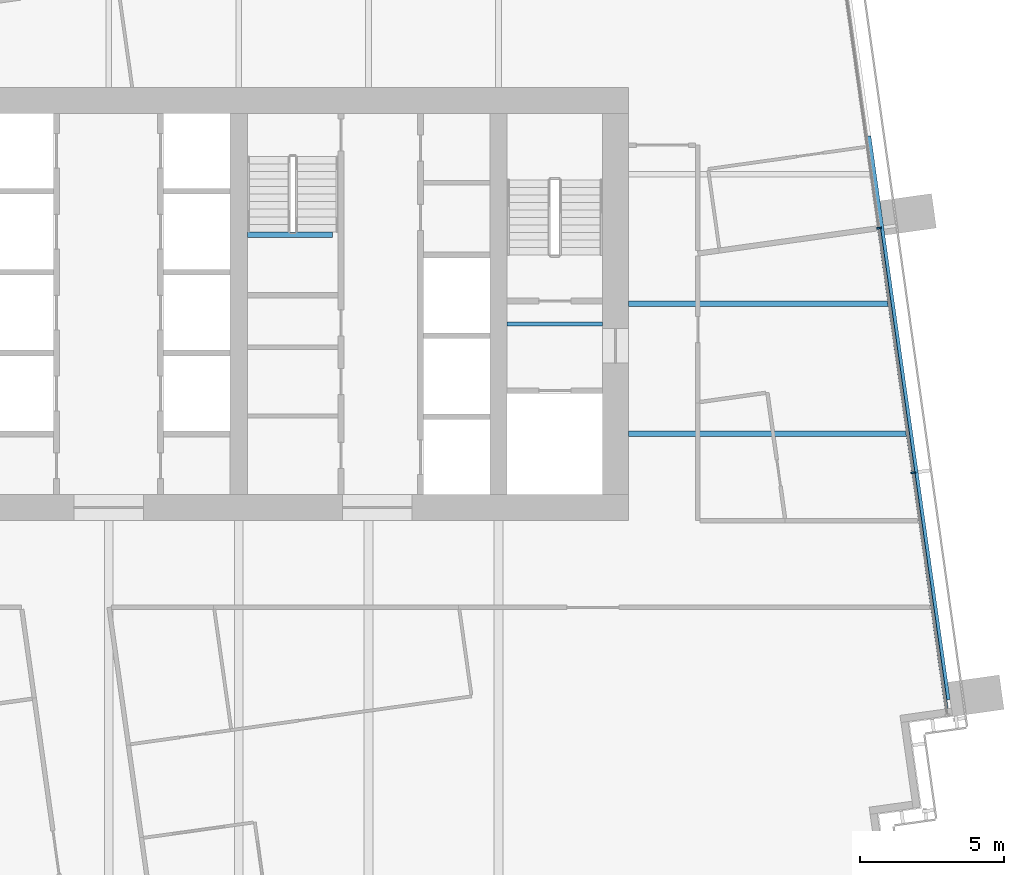
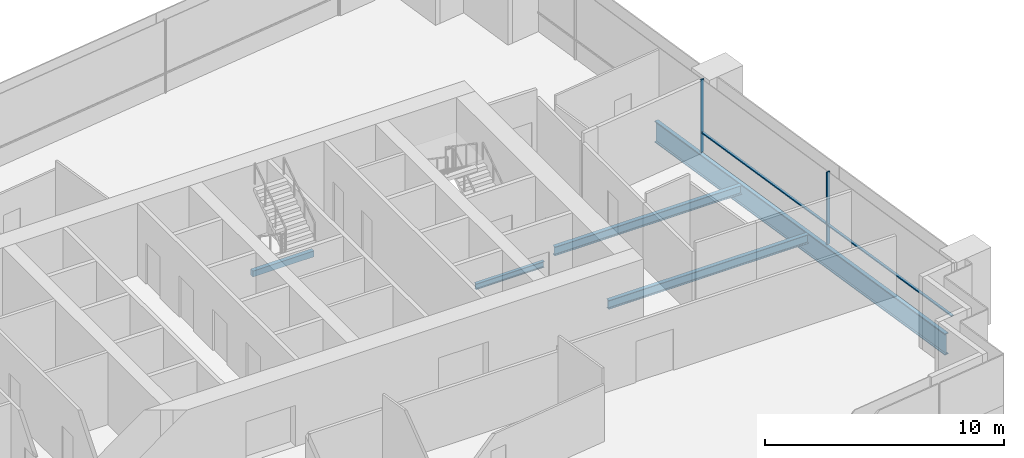
# One storey, part 5 of 18: 5 beams, 4 members, 1 element without a shape of its own.
"""IFC4 building model written with IfcOpenShell, lengths in metres."""

from ifc_helpers import new_model, si_unit, direction, frame, origin, origin_2d, place, context, subcontext, project, spatial, rectangle, i_section, extrude, material, material_profile, profile_set, type_object, element, aggregate, save


model = new_model("IFC4")

# Units and contexts
model_context = context("Model", 3, precision=1e-05, world=origin(), true_north=direction((0.0, 1.0)))
body_context = subcontext(model_context, "Body", "Model", "MODEL_VIEW")
ifc_project = project(units=[si_unit("LENGTHUNIT", "METRE"), si_unit("AREAUNIT", "SQUARE_METRE"), si_unit("VOLUMEUNIT", "CUBIC_METRE"), si_unit("PLANEANGLEUNIT", "RADIAN"), si_unit("MASSUNIT", "GRAM", prefix="KILO")], contexts=[model_context])

# Site, building, storey
site_placement = place(None, origin())
site = spatial("IfcSite", under=ifc_project, at=site_placement, CompositionType="ELEMENT")
building_placement = place(site_placement, origin())
building = spatial("IfcBuilding", under=site, at=building_placement, Name="Rattan Terrace Tower", CompositionType="ELEMENT")
storey_placement = place(building_placement, frame((0.0, 0.0, 176.300048828125)))
storey = spatial("IfcBuildingStorey", under=building, at=storey_placement, Name="L40", CompositionType="ELEMENT", Elevation=176.300048828125)

# Beam
ifc_material_1 = material(Name="Concrete C40/50", Category="concrete")
ifc_material_profile_1 = material_profile(ifc_material_1, rectangle(XDim=0.199951171875, YDim=0.300048828125, at=origin_2d()), Name="RC 200x300")
ifc_profile_set_1 = profile_set([ifc_material_profile_1], Name="Concrete C40/50")
beam_type_1 = type_object("IfcBeamType", Name="Core landing beam RC 200x300", PredefinedType="BEAM", material=ifc_profile_set_1)
beam_1_placement = place(storey_placement, frame((4.800048828125, 2.39990234375, 1.599853515625), z_axis=(1.0, 0.0, 0.0), x_axis=(0.0, 1.0, 0.0)))
element("IfcBeam", 1, at=beam_1_placement, inside=storey, type_object=beam_type_1, Name="st-S3-L40 landing 1 edge beam", PredefinedType="BEAM", context=body_context, shape_type="SweptSolid", body=[
    extrude(rectangle(XDim=0.199951171875, YDim=0.300048828125, at=origin_2d()), origin(), (0.0, 0.0, 1.0), 2.949951171875),
])

# Curtain wall, members
ifc_material_2 = material(Name="Aluminium and glass", Category="aluminium")
curtain_wall_type = type_object("IfcCurtainWallType", Name="Facade Unitised Curtain Wall", PredefinedType="NOTDEFINED", material=ifc_material_2)
curtain_wall_placement = place(storey_placement, origin())
curtain_wall = element("IfcCurtainWall", 2, at=curtain_wall_placement, inside=storey, type_object=curtain_wall_type, Name="Curtain wall L40-1", PredefinedType="NOTDEFINED")
ifc_material_3 = material(Name="Aluminium", Category="aluminium")
ifc_material_profile_2 = material_profile(ifc_material_3, rectangle(XDim=0.06005859375, YDim=0.159912109375, at=origin_2d()), Name="Aluminium 60x160")
ifc_profile_set_2 = profile_set([ifc_material_profile_2], Name="Aluminium")
member_type_1 = type_object("IfcMemberType", Name="Facade CW Mullion 60x160", PredefinedType="MULLION", material=ifc_profile_set_2)
member_1_placement = place(storey_placement, frame((27.857666015625, -5.8408203125, 0.0), z_axis=(0.0, 0.0, 1.0), x_axis=(-0.139190856006, 0.99026557327, 0.0)))
member_1 = element("IfcMember", 3, at=member_1_placement, type_object=member_type_1, Name="Mullion cwl-L40-001.2", PredefinedType="MULLION", context=body_context, shape_type="SweptSolid", body=[
    extrude(rectangle(XDim=0.06005859375, YDim=0.159912109375, at=origin_2d()), origin(), (0.0, 0.0, 1.0), 3.699951171875),
])
member_2_placement = place(storey_placement, frame((26.66748046875, 2.6259765625, 0.0), z_axis=(0.0, 0.0, 1.0), x_axis=(-0.139190856006, 0.99026557327, 0.0)))
member_2 = element("IfcMember", 4, at=member_2_placement, type_object=member_type_1, Name="Mullion cwl-L40-001.3", PredefinedType="MULLION", context=body_context, shape_type="SweptSolid", body=[
    extrude(rectangle(XDim=0.06005859375, YDim=0.159912109375, at=origin_2d()), origin(), (0.0, 0.0, 1.0), 3.699951171875),
])
ifc_material_4 = material(Name="Aluminium", Category="aluminium")
ifc_material_profile_3 = material_profile(ifc_material_4, rectangle(XDim=0.1201171875, YDim=0.06005859375, at=origin_2d()), Name="Aluminium 120x60")
ifc_profile_set_3 = profile_set([ifc_material_profile_3], Name="Aluminium")
member_type_2 = type_object("IfcMemberType", Name="Facade CW Transom 120x60", PredefinedType="USERDEFINED", material=ifc_profile_set_3)
member_3_placement = place(storey_placement, frame((29.032958984375, -14.20361328125, 1.0), z_axis=(-0.139174814558, 0.99026782791, 0.0), x_axis=(-0.99026782791, -0.139174814558, 0.0)))
member_3 = element("IfcMember", 5, at=member_3_placement, type_object=member_type_2, Name="Transom cwl-L40-001.1", ObjectType="TRANSOM", PredefinedType="USERDEFINED", context=body_context, shape_type="SweptSolid", body=[
    extrude(rectangle(XDim=0.1201171875, YDim=0.06005859375, at=origin_2d()), origin(), (0.0, 0.0, 1.0), 8.414794921875),
])
member_4_placement = place(storey_placement, frame((27.853515625, -5.811279296875, 1.0), z_axis=(-0.139206806234, 0.990263331189, 0.0), x_axis=(-0.990263331189, -0.139206806234, 0.0)))
member_4 = element("IfcMember", 6, at=member_4_placement, type_object=member_type_2, Name="Transom cwl-L40-001.2", ObjectType="TRANSOM", PredefinedType="USERDEFINED", context=body_context, shape_type="SweptSolid", body=[
    extrude(rectangle(XDim=0.1201171875, YDim=0.06005859375, at=origin_2d()), origin(), (0.0, 0.0, 1.0), 8.490234375),
])
aggregate(curtain_wall, [member_1, member_2, member_3, member_4])

# Beams
ifc_material_5 = material(Name="Steel S460", Category="steel")
ifc_material_profile_4 = material_profile(ifc_material_5, i_section(OverallWidth=0.179931640625, OverallDepth=1.10009765625, WebThickness=0.01611328125, FlangeThickness=0.050048828125, at=origin_2d()), Name="PG 1100x180-16-50")
ifc_profile_set_4 = profile_set([ifc_material_profile_4], Name="Steel S460")
beam_type_2 = type_object("IfcBeamType", Name="Frame edge girder PG 1100x180-16-50", PredefinedType="SPANDREL", material=ifc_profile_set_4)
beam_2_placement = place(storey_placement, frame((26.301025390625, 5.81201171875, -0.75), z_axis=(0.139187065437, -0.990266106062, 0.0), x_axis=(0.990266106062, 0.139187065437, 0.0)))
element("IfcBeam", 7, at=beam_2_placement, inside=storey, type_object=beam_type_2, Name="gdr-L40-005", PredefinedType="SPANDREL", context=body_context, shape_type="SweptSolid", body=[
    extrude(i_section(OverallWidth=0.179931640625, OverallDepth=1.10009765625, WebThickness=0.01611328125, FlangeThickness=0.050048828125, at=origin_2d()), origin(), (0.0, 0.0, 1.0), 19.706787109375),
])
ifc_material_6 = material(Name="Steel S355", Category="steel")
ifc_material_profile_5 = material_profile(ifc_material_6, i_section(OverallWidth=0.14990234375, OverallDepth=0.300048828125, WebThickness=0.007080078125, FlangeThickness=0.0107421875, FilletRadius=0.014892578125, at=origin_2d()), Name="IPE 300")
ifc_profile_set_5 = profile_set([ifc_material_profile_5], Name="Steel S355")
beam_type_3 = type_object("IfcBeamType", Name="Frame floor beam IPE 300", PredefinedType="JOIST", material=ifc_profile_set_5)
beam_3_placement = place(storey_placement, frame((13.800048828125, -0.695068359375, -0.35009765625), z_axis=(1.0, 0.0, 0.0), x_axis=(0.0, 1.0, 0.0)))
element("IfcBeam", 8, at=beam_3_placement, inside=storey, type_object=beam_type_3, Name="bm-L40-002", PredefinedType="JOIST", context=body_context, shape_type="SweptSolid", body=[
    extrude(i_section(OverallWidth=0.14990234375, OverallDepth=0.300048828125, WebThickness=0.007080078125, FlangeThickness=0.0107421875, FilletRadius=0.014892578125, at=origin_2d()), origin(), (0.0, 0.0, 1.0), 3.300048828125),
])
ifc_material_7 = material(Name="Steel S355", Category="steel")
ifc_material_profile_6 = material_profile(ifc_material_7, i_section(OverallWidth=0.18994140625, OverallDepth=0.449951171875, WebThickness=0.009521484375, FlangeThickness=0.0146484375, FilletRadius=0.02099609375, at=origin_2d()), Name="IPE 450")
ifc_profile_set_6 = profile_set([ifc_material_profile_6], Name="Steel S355")
beam_type_4 = type_object("IfcBeamType", Name="Frame floor beam IPE 450", PredefinedType="JOIST", material=ifc_profile_set_6)
beam_4_placement = place(storey_placement, frame((18.0, -4.5, -0.425048828125), z_axis=(1.0, 0.0, 0.0), x_axis=(0.0, 1.0, 0.0)))
element("IfcBeam", 9, at=beam_4_placement, inside=storey, type_object=beam_type_4, Name="bm-L40-011", PredefinedType="JOIST", context=body_context, shape_type="SweptSolid", body=[
    extrude(i_section(OverallWidth=0.18994140625, OverallDepth=0.449951171875, WebThickness=0.009521484375, FlangeThickness=0.0146484375, FilletRadius=0.02099609375, at=origin_2d()), origin(), (0.0, 0.0, 1.0), 9.64599609375),
])
beam_5_placement = place(storey_placement, frame((18.0, 0.0, -0.425048828125), z_axis=(1.0, 0.0, 0.0), x_axis=(0.0, 1.0, 0.0)))
element("IfcBeam", 10, at=beam_5_placement, inside=storey, type_object=beam_type_4, Name="bm-L40-013", PredefinedType="JOIST", context=body_context, shape_type="SweptSolid", body=[
    extrude(i_section(OverallWidth=0.18994140625, OverallDepth=0.449951171875, WebThickness=0.009521484375, FlangeThickness=0.0146484375, FilletRadius=0.02099609375, at=origin_2d()), origin(), (0.0, 0.0, 1.0), 9.013916015625),
])

save(model, "model.ifc")
